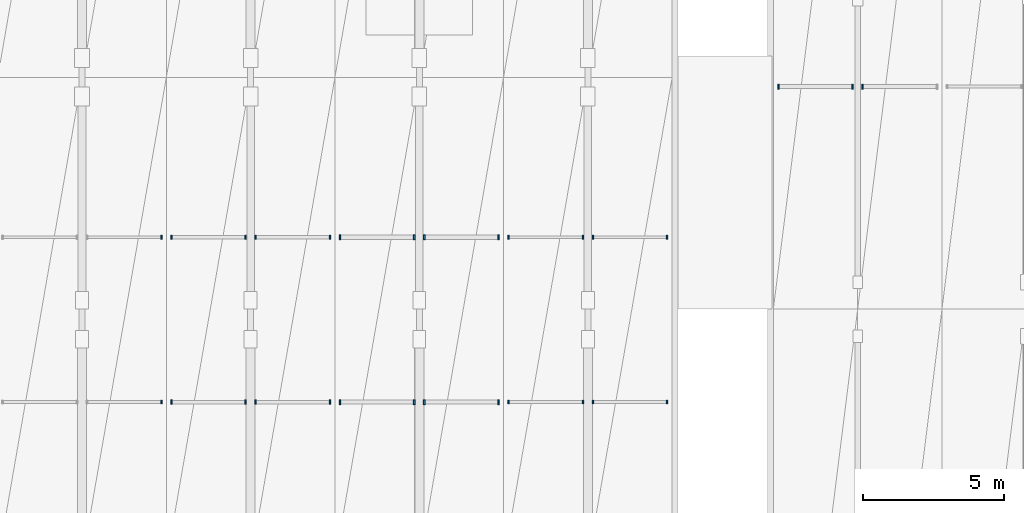
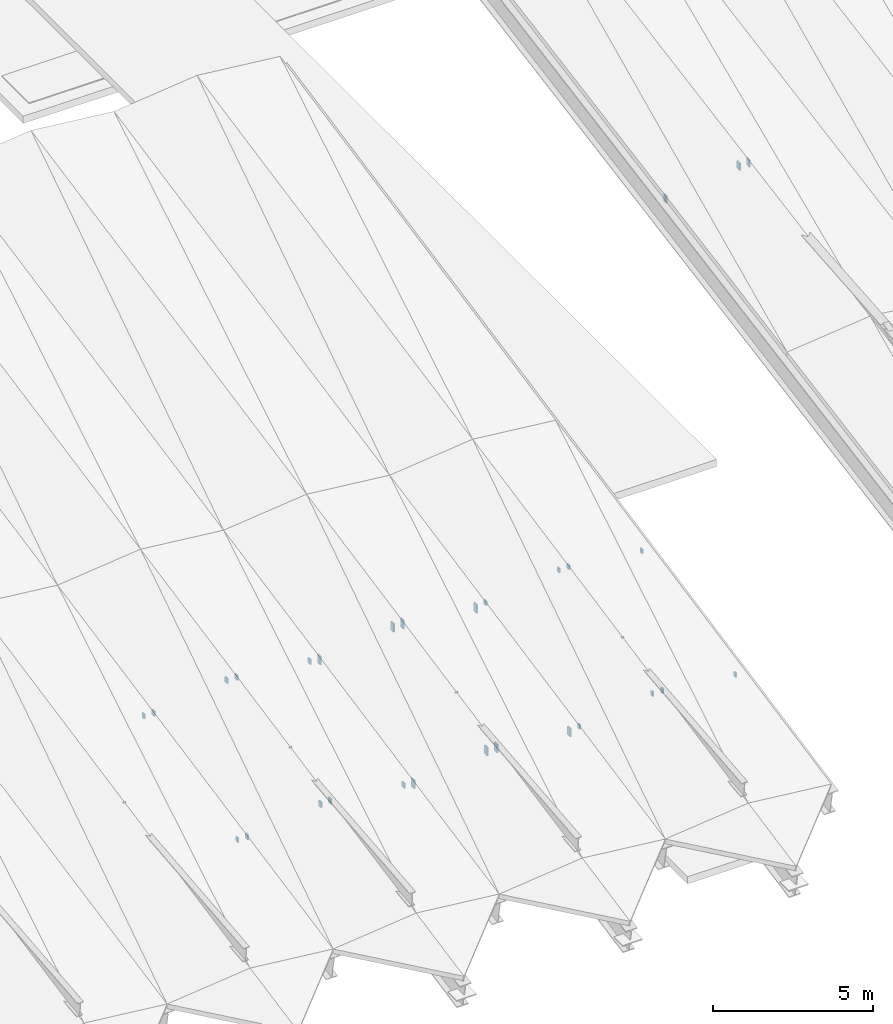
# One storey, part 34 of 52: 29 discrete accessories.
"""IFC4 building model written with IfcOpenShell, lengths in metres."""

from ifc_helpers import new_model, si_unit, direction, frame, origin, origin_2d, place, context, subcontext, project, spatial, rectangle, extrude, material, layer, layer_set, type_object, element, save


model = new_model("IFC4")

# Units and contexts
model_context = context("Model", 3, precision=1e-05, world=origin(), true_north=direction((0.0, 1.0)))
body_context = subcontext(model_context, "Body", "Model", "MODEL_VIEW")
ifc_project = project(units=[si_unit("LENGTHUNIT", "METRE"), si_unit("AREAUNIT", "SQUARE_METRE"), si_unit("VOLUMEUNIT", "CUBIC_METRE"), si_unit("PLANEANGLEUNIT", "RADIAN"), si_unit("MASSUNIT", "GRAM", prefix="KILO")], contexts=[model_context])

# Site, building, storey
site_placement = place(None, origin())
site = spatial("IfcSite", under=ifc_project, at=site_placement, CompositionType="ELEMENT")
building_placement = place(site_placement, origin())
building = spatial("IfcBuilding", under=site, at=building_placement, Name="Vaelkrest Opera House", CompositionType="ELEMENT")
storey_placement = place(building_placement, frame((0.0, 0.0, 41.39990234375)))
storey = spatial("IfcBuildingStorey", under=building, at=storey_placement, Name="ROOF", CompositionType="ELEMENT", Elevation=41.39990234375)

# Discrete accessories
ifc_material = material(Name="Steel A572 Gr50", Category="steel")
ifc_layer = layer(ifc_material, 0.320068359375)
ifc_layer_set = layer_set([ifc_layer], Name="Steel A572 Gr50")
discrete_accessory_type = type_object("IfcDiscreteAccessoryType", Name="ECP01", PredefinedType="USERDEFINED", material=ifc_layer_set)
for number, where, z_axis, x_axis, name in (
    (1, (-29.822509765625, 0.1201171875, -6.741943359375), (0.0, 0.0, 1.0), (1.0, 0.0, 0.0), "Purlin HSS end cap plate V1-01-S3-33-W0"),
    (2, (-27.177490234375, 0.1201171875, -6.41796875), (0.0, 0.0, 1.0), (1.0, 0.0, 0.0), "Purlin HSS end cap plate V1-01-S3-33-W1"),
    (3, (-26.822509765625, 0.1201171875, -6.41796875), (0.0, 0.0, 1.0), (1.0, 0.0, 0.0), "Purlin HSS end cap plate V1-01-S3-33-E0"),
):
    element("IfcDiscreteAccessory", number, at=place(storey_placement, frame(where, z_axis=z_axis, x_axis=x_axis)), inside=storey, type_object=discrete_accessory_type, Name=name, ObjectType="CAP PLATE", PredefinedType="USERDEFINED", context=body_context, shape_type="SweptSolid", body=[
        extrude(rectangle(XDim=0.054931640625, YDim=0.176025390625, at=origin_2d()), origin(), (0.0, 0.0, 1.0), 0.27001953125),
    ])
for number, where, z_axis, x_axis, name in (
    (4, (-51.777587890625, -11.10791015625, -16.685791015625), (0.0, 0.0, 1.0), (1.0, 0.0, 0.0), "Purlin HSS end cap plate V3-04-S1-33-E1"),
    (5, (-51.777587890625, -5.241943359375, -15.515869140625), (0.0, 0.0, 1.0), (1.0, 0.0, 0.0), "Purlin HSS end cap plate V3-04-S1-67-E1"),
):
    element("IfcDiscreteAccessory", number, at=place(storey_placement, frame(where, z_axis=z_axis, x_axis=x_axis)), inside=storey, type_object=discrete_accessory_type, Name=name, ObjectType="CAP PLATE", PredefinedType="USERDEFINED", context=body_context, shape_type="SweptSolid", body=[
        extrude(rectangle(XDim=0.054931640625, YDim=0.1259765625, at=origin_2d()), origin(), (0.0, 0.0, 1.0), 0.16796875),
    ])
for number, where, z_axis, x_axis, name in (
    (6, (-51.422607421875, -11.10791015625, -16.7119140625), (0.0, 0.0, 1.0), (1.0, 0.0, 0.0), "Purlin HSS end cap plate V3-05-S1-33-W0"),
    (7, (-48.777587890625, -11.10791015625, -16.38818359375), (0.0, 0.0, 1.0), (1.0, 0.0, 0.0), "Purlin HSS end cap plate V3-05-S1-33-W1"),
    (8, (-48.422607421875, -11.10791015625, -16.38818359375), (0.0, 0.0, 1.0), (1.0, 0.0, 0.0), "Purlin HSS end cap plate V3-05-S1-33-E0"),
    (9, (-45.777587890625, -11.10791015625, -16.7119140625), (0.0, 0.0, 1.0), (1.0, 0.0, 0.0), "Purlin HSS end cap plate V3-05-S1-33-E1"),
    (10, (-51.422607421875, -5.241943359375, -15.5419921875), (0.0, 0.0, 1.0), (1.0, 0.0, 0.0), "Purlin HSS end cap plate V3-05-S1-67-W0"),
    (11, (-48.777587890625, -5.241943359375, -15.2177734375), (0.0, 0.0, 1.0), (1.0, 0.0, 0.0), "Purlin HSS end cap plate V3-05-S1-67-W1"),
    (12, (-48.422607421875, -5.241943359375, -15.2177734375), (0.0, 0.0, 1.0), (1.0, 0.0, 0.0), "Purlin HSS end cap plate V3-05-S1-67-E0"),
    (13, (-45.777587890625, -5.241943359375, -15.5419921875), (0.0, 0.0, 1.0), (1.0, 0.0, 0.0), "Purlin HSS end cap plate V3-05-S1-67-E1"),
):
    element("IfcDiscreteAccessory", number, at=place(storey_placement, frame(where, z_axis=z_axis, x_axis=x_axis)), inside=storey, type_object=discrete_accessory_type, Name=name, ObjectType="CAP PLATE", PredefinedType="USERDEFINED", context=body_context, shape_type="SweptSolid", body=[
        extrude(rectangle(XDim=0.054931640625, YDim=0.15087890625, at=origin_2d()), origin(), (0.0, 0.0, 1.0), 0.194091796875),
    ])
for number, where, z_axis, x_axis, name in (
    (14, (-45.422607421875, -11.10791015625, -16.83935546875), (0.0, 0.0, 1.0), (1.0, 0.0, 0.0), "Purlin HSS end cap plate V3-06-S1-33-W0"),
    (15, (-42.777587890625, -11.10791015625, -16.515625), (0.0, 0.0, 1.0), (1.0, 0.0, 0.0), "Purlin HSS end cap plate V3-06-S1-33-W1"),
    (16, (-42.422607421875, -11.10791015625, -16.515625), (0.0, 0.0, 1.0), (1.0, 0.0, 0.0), "Purlin HSS end cap plate V3-06-S1-33-E0"),
    (17, (-39.777587890625, -11.10791015625, -16.83935546875), (0.0, 0.0, 1.0), (1.0, 0.0, 0.0), "Purlin HSS end cap plate V3-06-S1-33-E1"),
    (18, (-45.422607421875, -5.241943359375, -15.66943359375), (0.0, 0.0, 1.0), (1.0, 0.0, 0.0), "Purlin HSS end cap plate V3-06-S1-67-W0"),
    (19, (-42.777587890625, -5.241943359375, -15.34521484375), (0.0, 0.0, 1.0), (1.0, 0.0, 0.0), "Purlin HSS end cap plate V3-06-S1-67-W1"),
    (20, (-42.422607421875, -5.241943359375, -15.34521484375), (0.0, 0.0, 1.0), (1.0, 0.0, 0.0), "Purlin HSS end cap plate V3-06-S1-67-E0"),
    (21, (-39.777587890625, -5.241943359375, -15.66943359375), (0.0, 0.0, 1.0), (1.0, 0.0, 0.0), "Purlin HSS end cap plate V3-06-S1-67-E1"),
):
    element("IfcDiscreteAccessory", number, at=place(storey_placement, frame(where, z_axis=z_axis, x_axis=x_axis)), inside=storey, type_object=discrete_accessory_type, Name=name, ObjectType="CAP PLATE", PredefinedType="USERDEFINED", context=body_context, shape_type="SweptSolid", body=[
        extrude(rectangle(XDim=0.054931640625, YDim=0.176025390625, at=origin_2d()), origin(), (0.0, 0.0, 1.0), 0.321044921875),
    ])
for number, where, z_axis, x_axis, name in (
    (22, (-39.422607421875, -11.10791015625, -16.685791015625), (0.0, 0.0, 1.0), (1.0, 0.0, 0.0), "Purlin HSS end cap plate V3-07-S1-33-W0"),
    (23, (-36.777587890625, -11.10791015625, -16.36181640625), (0.0, 0.0, 1.0), (1.0, 0.0, 0.0), "Purlin HSS end cap plate V3-07-S1-33-W1"),
    (24, (-36.422607421875, -11.10791015625, -16.36181640625), (0.0, 0.0, 1.0), (1.0, 0.0, 0.0), "Purlin HSS end cap plate V3-07-S1-33-E0"),
    (25, (-33.777587890625, -11.10791015625, -16.685791015625), (0.0, 0.0, 1.0), (1.0, 0.0, 0.0), "Purlin HSS end cap plate V3-07-S1-33-E1"),
    (26, (-39.422607421875, -5.241943359375, -15.515869140625), (0.0, 0.0, 1.0), (1.0, 0.0, 0.0), "Purlin HSS end cap plate V3-07-S1-67-W0"),
    (27, (-36.777587890625, -5.241943359375, -15.19189453125), (0.0, 0.0, 1.0), (1.0, 0.0, 0.0), "Purlin HSS end cap plate V3-07-S1-67-W1"),
    (28, (-36.422607421875, -5.241943359375, -15.19189453125), (0.0, 0.0, 1.0), (1.0, 0.0, 0.0), "Purlin HSS end cap plate V3-07-S1-67-E0"),
    (29, (-33.777587890625, -5.241943359375, -15.515869140625), (0.0, 0.0, 1.0), (1.0, 0.0, 0.0), "Purlin HSS end cap plate V3-07-S1-67-E1"),
):
    element("IfcDiscreteAccessory", number, at=place(storey_placement, frame(where, z_axis=z_axis, x_axis=x_axis)), inside=storey, type_object=discrete_accessory_type, Name=name, ObjectType="CAP PLATE", PredefinedType="USERDEFINED", context=body_context, shape_type="SweptSolid", body=[
        extrude(rectangle(XDim=0.054931640625, YDim=0.1259765625, at=origin_2d()), origin(), (0.0, 0.0, 1.0), 0.16796875),
    ])

save(model, "model.ifc")
